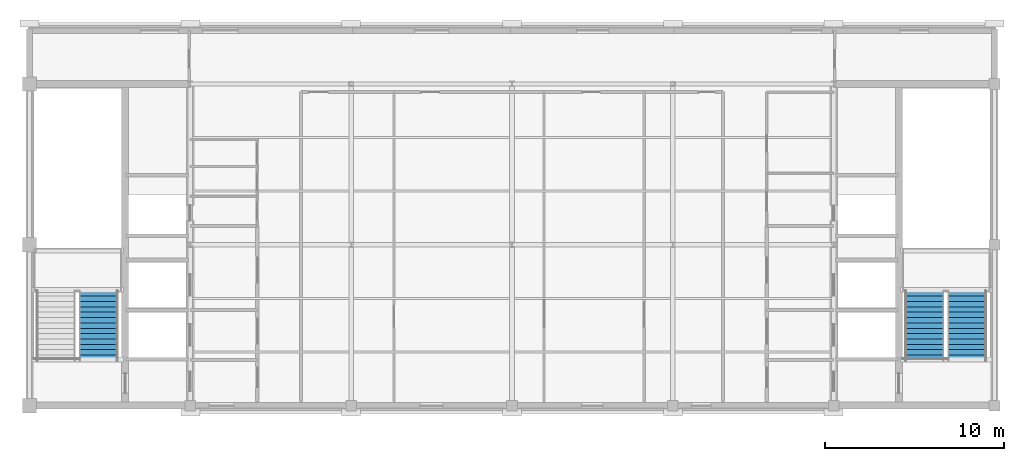
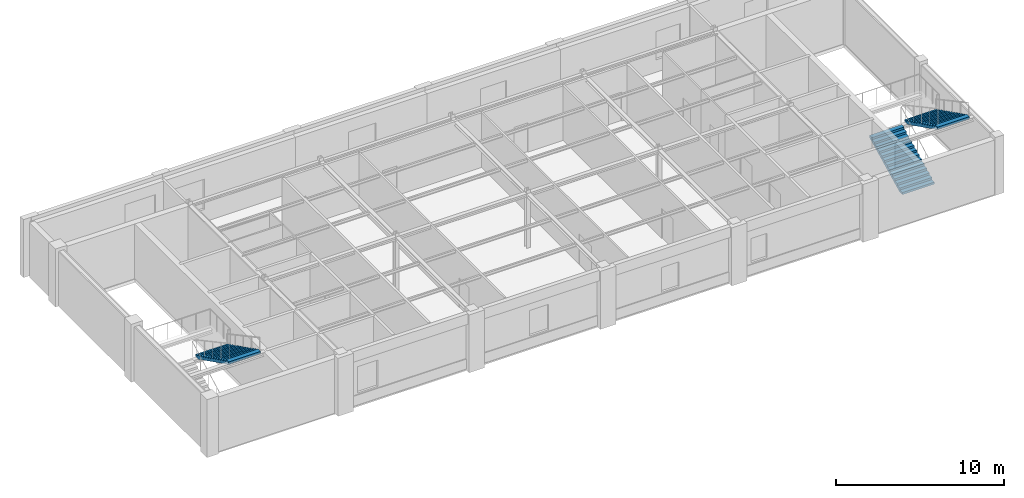
# One storey, part 6 of 7: 3 stair flights, 2 elements without a shape of their own.
"""IFC4 building model written with IfcOpenShell, lengths in metres."""

from ifc_helpers import new_model, si_unit, direction, frame, origin, place, context, subcontext, project, spatial, polyline, outline, extrude, material, layer, layer_set, type_object, element, aggregate, save


model = new_model("IFC4")

# Units and contexts
model_context = context("Model", 3, precision=1e-05, world=origin(), true_north=direction((0.0, 1.0)))
body_context = subcontext(model_context, "Body", "Model", "MODEL_VIEW")
ifc_project = project(units=[si_unit("LENGTHUNIT", "METRE"), si_unit("AREAUNIT", "SQUARE_METRE"), si_unit("VOLUMEUNIT", "CUBIC_METRE"), si_unit("PLANEANGLEUNIT", "RADIAN"), si_unit("MASSUNIT", "GRAM", prefix="KILO")], contexts=[model_context])

# Site, building, storey
site_placement = place(None, origin())
site = spatial("IfcSite", under=ifc_project, at=site_placement, CompositionType="ELEMENT")
building_placement = place(site_placement, origin())
building = spatial("IfcBuilding", under=site, at=building_placement, Name="Lykobir Media Centre", CompositionType="ELEMENT")
storey_placement = place(building_placement, frame((0.0, 0.0, 31.800048828125)))
storey = spatial("IfcBuildingStorey", under=building, at=storey_placement, Name="L07", CompositionType="ELEMENT", Elevation=31.800048828125)

# Stair, stair flight
ifc_material = material(Name="Concrete C30/37", Category="concrete")
stair_type = type_object("IfcStairType", Name="ST-HT-420", PredefinedType="HALF_TURN_STAIR", material=ifc_material)
stair_1_placement = place(storey_placement, origin())
stair_1 = element("IfcStair", 1, at=stair_1_placement, inside=storey, type_object=stair_type, Name="Escape stair ST-1 L07", PredefinedType="HALF_TURN_STAIR")
ifc_layer = layer(ifc_material, 0.14990234375, Name="Concrete C30/37")
ifc_layer_set = layer_set([ifc_layer], Name="Concrete C30/37")
stair_flight_type = type_object("IfcStairFlightType", Name="FL-220-14", PredefinedType="STRAIGHT", material=ifc_layer_set)
stair_flight_1_placement = place(storey_placement, frame((30.8701171875, 6.429931640625, 2.099853515625), z_axis=(0.0, 0.0, 1.0), x_axis=(0.0, -1.0, 0.0)))
stair_flight_1 = element("IfcStairFlight", 2, at=stair_flight_1_placement, type_object=stair_flight_type, Name="ST-1-L07 flight 2", NumberOfRisers=14, NumberOfTreads=13, PredefinedType="STRAIGHT", RiserHeight=0.15, TreadLength=0.3, context=body_context, shape_type="SweptSolid", body=[
    extrude(outline(polyline([(0.0, 0.0), (0.0, 0.14990234375), (0.300048828125, 0.14990234375), (0.300048828125, 0.300048828125), (0.60009765625, 0.300048828125), (0.60009765625, 0.449951171875), (0.89990234375, 0.449951171875), (0.89990234375, 0.60009765625), (1.199951171875, 0.60009765625), (1.199951171875, 0.75), (1.5, 0.75), (1.5, 0.89990234375), (1.800048828125, 0.89990234375), (1.800048828125, 1.050048828125), (2.10009765625, 1.050048828125), (2.10009765625, 1.199951171875), (2.39990234375, 1.199951171875), (2.39990234375, 1.35009765625), (2.699951171875, 1.35009765625), (2.699951171875, 1.5), (3.0, 1.5), (3.0, 1.64990234375), (3.300048828125, 1.64990234375), (3.300048828125, 1.800048828125), (3.60009765625, 1.800048828125), (3.60009765625, 1.949951171875), (3.89990234375, 1.949951171875), (3.89990234375, 2.10009765625), (3.89990234375, 1.771240234375), (0.357666015625, 0.0), (0.0, 0.0)])), frame((0.0, 1.10009765625, 0.0), z_axis=(0.0, -1.0, 0.0), x_axis=(1.0, 0.0, 0.0)), (0.0, 0.0, 1.0), 2.199951171875),
])
aggregate(stair_1, [stair_flight_1])

# Stair, stair flights
stair_2_placement = place(storey_placement, origin())
stair_2 = element("IfcStair", 3, at=stair_2_placement, inside=storey, type_object=stair_type, Name="Escape stair ST-2 L07", PredefinedType="HALF_TURN_STAIR")
stair_flight_2_placement = place(storey_placement, frame((77.070068359375, 2.530029296875, 0.0), z_axis=(0.0, 0.0, 1.0), x_axis=(0.0, 1.0, 0.0)))
stair_flight_2 = element("IfcStairFlight", 4, at=stair_flight_2_placement, type_object=stair_flight_type, Name="ST-2-L07 flight 1", NumberOfRisers=14, NumberOfTreads=13, PredefinedType="STRAIGHT", RiserHeight=0.15, TreadLength=0.3, context=body_context, shape_type="SweptSolid", body=[
    extrude(outline(polyline([(0.0, 0.0), (0.0, 0.14990234375), (0.300048828125, 0.14990234375), (0.300048828125, 0.300048828125), (0.60009765625, 0.300048828125), (0.60009765625, 0.449951171875), (0.89990234375, 0.449951171875), (0.89990234375, 0.60009765625), (1.199951171875, 0.60009765625), (1.199951171875, 0.75), (1.5, 0.75), (1.5, 0.89990234375), (1.800048828125, 0.89990234375), (1.800048828125, 1.050048828125), (2.10009765625, 1.050048828125), (2.10009765625, 1.199951171875), (2.39990234375, 1.199951171875), (2.39990234375, 1.35009765625), (2.699951171875, 1.35009765625), (2.699951171875, 1.5), (3.0, 1.5), (3.0, 1.64990234375), (3.300048828125, 1.64990234375), (3.300048828125, 1.800048828125), (3.60009765625, 1.800048828125), (3.60009765625, 1.949951171875), (3.89990234375, 1.949951171875), (3.89990234375, 2.10009765625), (3.89990234375, 1.771240234375), (0.357666015625, 0.0), (0.0, 0.0)])), frame((0.0, 1.10009765625, 0.0), z_axis=(0.0, -1.0, 0.0), x_axis=(1.0, 0.0, 0.0)), (0.0, 0.0, 1.0), 2.199951171875),
])
stair_flight_3_placement = place(storey_placement, frame((79.469970703125, 6.429931640625, 2.099853515625), z_axis=(0.0, 0.0, 1.0), x_axis=(0.0, -1.0, 0.0)))
stair_flight_3 = element("IfcStairFlight", 5, at=stair_flight_3_placement, type_object=stair_flight_type, Name="ST-2-L07 flight 2", NumberOfRisers=14, NumberOfTreads=13, PredefinedType="STRAIGHT", RiserHeight=0.15, TreadLength=0.3, context=body_context, shape_type="SweptSolid", body=[
    extrude(outline(polyline([(0.0, 0.0), (0.0, 0.14990234375), (0.300048828125, 0.14990234375), (0.300048828125, 0.300048828125), (0.60009765625, 0.300048828125), (0.60009765625, 0.449951171875), (0.89990234375, 0.449951171875), (0.89990234375, 0.60009765625), (1.199951171875, 0.60009765625), (1.199951171875, 0.75), (1.5, 0.75), (1.5, 0.89990234375), (1.800048828125, 0.89990234375), (1.800048828125, 1.050048828125), (2.10009765625, 1.050048828125), (2.10009765625, 1.199951171875), (2.39990234375, 1.199951171875), (2.39990234375, 1.35009765625), (2.699951171875, 1.35009765625), (2.699951171875, 1.5), (3.0, 1.5), (3.0, 1.64990234375), (3.300048828125, 1.64990234375), (3.300048828125, 1.800048828125), (3.60009765625, 1.800048828125), (3.60009765625, 1.949951171875), (3.89990234375, 1.949951171875), (3.89990234375, 2.10009765625), (3.89990234375, 1.771240234375), (0.357666015625, 0.0), (0.0, 0.0)])), frame((0.0, 1.10009765625, 0.0), z_axis=(0.0, -1.0, 0.0), x_axis=(1.0, 0.0, 0.0)), (0.0, 0.0, 1.0), 2.199951171875),
])
aggregate(stair_2, [stair_flight_2, stair_flight_3])

save(model, "model.ifc")
